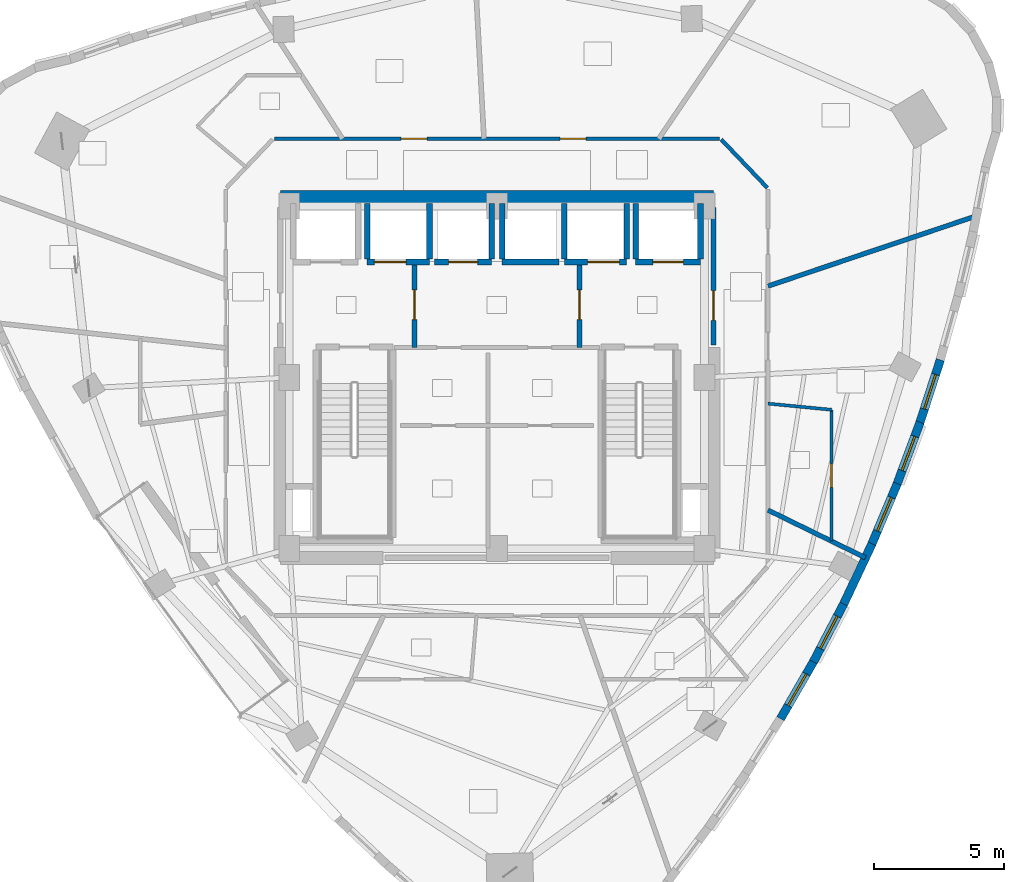
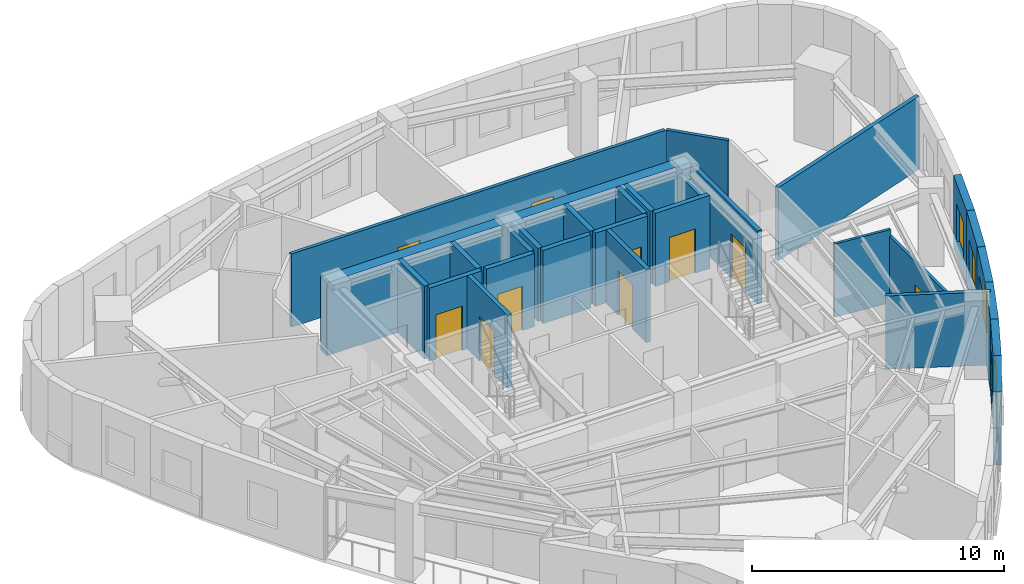
# One storey, part 8 of 13: 29 walls, 10 doors, 5 windows, 15 openings.
"""IFC4 building model written with IfcOpenShell, lengths in metres."""

from ifc_helpers import new_model, si_unit, direction, frame, frame_2d, origin, place, context, subcontext, project, spatial, rectangle, extrude, material, layer, layer_set, type_object, element, fill, save


model = new_model("IFC4")

# Units and contexts
model_context = context("Model", 3, precision=1e-05, world=origin(), true_north=direction((0.0, 1.0)))
body_context = subcontext(model_context, "Body", "Model", "MODEL_VIEW")
ifc_project = project(units=[si_unit("LENGTHUNIT", "METRE"), si_unit("AREAUNIT", "SQUARE_METRE"), si_unit("VOLUMEUNIT", "CUBIC_METRE"), si_unit("PLANEANGLEUNIT", "RADIAN"), si_unit("MASSUNIT", "GRAM", prefix="KILO")], contexts=[model_context])

# Site, building, storey
site_placement = place(None, origin())
site = spatial("IfcSite", under=ifc_project, at=site_placement, CompositionType="ELEMENT")
building_placement = place(site_placement, origin())
building = spatial("IfcBuilding", under=site, at=building_placement, Name="Ndelora Gate Hotel", CompositionType="ELEMENT")
storey_placement = place(building_placement, frame((0.0, 0.0, 228.35009765625)))
storey = spatial("IfcBuildingStorey", under=building, at=storey_placement, Name="L57", CompositionType="ELEMENT", Elevation=228.35009765625)

# Walls
ifc_material_1 = material(Name="Acoustic Double-Stud Gypsum Assembly", Category="gypsum")
ifc_layer_1 = layer(ifc_material_1, 0.179931640625)
ifc_layer_set_1 = layer_set([ifc_layer_1], Name="Acoustic Double-Stud Gypsum Assembly")
wall_type_1 = type_object("IfcWallType", Name="WL-ACOUST-180", PredefinedType="PARTITIONING", material=ifc_layer_set_1)
wall_1_placement = place(storey_placement, frame((10.449951171875, -5.1123046875, 0.0), z_axis=(0.0, 0.0, 1.0), x_axis=(0.89827266013, -0.439438537298, 0.0)))
element("IfcWall", 1, at=wall_1_placement, inside=storey, type_object=wall_type_1, Name="L57 Interior Wall IW-3", PredefinedType="PARTITIONING", context=body_context, shape_type="SweptSolid", body=[
    extrude(rectangle(XDim=4.178955078125, YDim=0.179931640625, at=frame_2d((2.08935546875, 0.0))), origin(), (0.0, 0.0, 1.0), 3.5498046875),
])
wall_2_placement = place(storey_placement, frame((10.449951171875, 3.52099609375, 0.0), z_axis=(0.0, 0.0, 1.0), x_axis=(0.947649729023, 0.319311745919, 0.0)))
element("IfcWall", 2, at=wall_2_placement, inside=storey, type_object=wall_type_1, Name="L57 Interior Wall IW-3", PredefinedType="PARTITIONING", context=body_context, shape_type="SweptSolid", body=[
    extrude(rectangle(XDim=8.473876953125, YDim=0.179931640625, at=frame_2d((4.23681640625, 0.0))), origin(), (0.0, 0.0, 1.0), 3.5498046875),
])

# Wall, opening, window
ifc_material_2 = material(Name="Clay Brick Masonry", Category="masonry")
ifc_layer_2 = layer(ifc_material_2, 0.330078125)
ifc_layer_set_2 = layer_set([ifc_layer_2], Name="Clay Brick Masonry")
wall_type_2 = type_object("IfcWallType", Name="WL-BRICK-330", PredefinedType="SOLIDWALL", material=ifc_layer_set_2)
wall_3_placement = place(storey_placement, frame((12.22021484375, -10.9208984375, 0.0), z_axis=(0.0, 0.0, 1.0), x_axis=(-0.499875407217, -0.866097325513, 0.0)))
wall_3 = element("IfcWall", 3, at=wall_3_placement, inside=storey, type_object=wall_type_2, Name="L57 Tower Brick Pier-and-Spandrel Wall TWR-30", PredefinedType="SOLIDWALL", context=body_context, shape_type="SweptSolid", body=[
    extrude(rectangle(XDim=2.579345703125, YDim=0.330078125, at=frame_2d((1.28955078125, 0.0))), origin(), (0.0, 0.0, 1.0), 3.5498046875),
])
opening_1_placement = place(wall_3_placement, frame((0.589599609375, 0.0, 0.719970703125)))
opening_1 = element("IfcOpeningElement", 4, at=opening_1_placement, cuts=wall_3, Name="Opening W02", PredefinedType="OPENING", context=body_context, shape_type="SweptSolid", body=[
    extrude(rectangle(XDim=1.39990234375, YDim=1.840087890625, at=frame_2d((0.699951171875, 0.919921875))), frame((0.0, 0.175048828125, 0.0), z_axis=(0.0, -1.0, 0.0), x_axis=(1.0, 0.0, 0.0)), (0.0, 0.0, 1.0), 0.35009765625),
])
ifc_material_3 = material(Name="Insulated Low-E Double Glazing in Bronze Aluminium Frame", Category="aluminium")
window_type = type_object("IfcWindowType", Name="WN-DEEP-1400", PartitioningType="SINGLE_PANEL", PredefinedType="WINDOW", material=ifc_material_3)
window_1_placement = place(opening_1_placement, origin())
window_1 = element("IfcWindow", 5, at=window_1_placement, inside=storey, type_object=window_type, Name="L57 Deep-Set Brick-Pier Window W02", OverallHeight=1.840087890625, OverallWidth=1.39990234375, PartitioningType="SINGLE_PANEL", PredefinedType="WINDOW", context=body_context, shape_type="SweptSolid", body=[
    extrude(rectangle(XDim=1.39990234375, YDim=1.840087890625, at=frame_2d((0.699951171875, 0.919921875))), frame((0.0, 0.030029296875, 0.0), z_axis=(0.0, -1.0, 0.0), x_axis=(1.0, 0.0, 0.0)), (0.0, 0.0, 1.0), 0.06005859375),
])
fill(opening_1, window_1)

wall_4_placement = place(storey_placement, frame((13.38720703125, -8.6865234375, 0.0), z_axis=(0.0, 0.0, 1.0), x_axis=(-0.463361004434, -0.886169611062, 0.0)))
wall_4 = element("IfcWall", 6, at=wall_4_placement, inside=storey, type_object=wall_type_2, Name="L57 Tower Brick Pier-and-Spandrel Wall TWR-31", PredefinedType="SOLIDWALL", context=body_context, shape_type="SweptSolid", body=[
    extrude(rectangle(XDim=2.57080078125, YDim=0.330078125, at=frame_2d((1.285400390625, 0.0))), origin(), (0.0, 0.0, 1.0), 3.5498046875),
])
opening_2_placement = place(wall_4_placement, frame((0.585205078125, 0.0, 0.719970703125)))
opening_2 = element("IfcOpeningElement", 7, at=opening_2_placement, cuts=wall_4, Name="Opening W02", PredefinedType="OPENING", context=body_context, shape_type="SweptSolid", body=[
    extrude(rectangle(XDim=1.39990234375, YDim=1.840087890625, at=frame_2d((0.699951171875, 0.919921875))), frame((0.0, 0.175048828125, 0.0), z_axis=(0.0, -1.0, 0.0), x_axis=(1.0, 0.0, 0.0)), (0.0, 0.0, 1.0), 0.35009765625),
])
window_2_placement = place(opening_2_placement, origin())
window_2 = element("IfcWindow", 8, at=window_2_placement, inside=storey, type_object=window_type, Name="L57 Deep-Set Brick-Pier Window W02", OverallHeight=1.840087890625, OverallWidth=1.39990234375, PartitioningType="SINGLE_PANEL", PredefinedType="WINDOW", context=body_context, shape_type="SweptSolid", body=[
    extrude(rectangle(XDim=1.39990234375, YDim=1.840087890625, at=frame_2d((0.699951171875, 0.919921875))), frame((0.0, 0.030029296875, 0.0), z_axis=(0.0, -1.0, 0.0), x_axis=(1.0, 0.0, 0.0)), (0.0, 0.0, 1.0), 0.06005859375),
])
fill(opening_2, window_2)

# Wall
wall_5_placement = place(storey_placement, frame((14.45751953125, -6.40966796875, 0.0), z_axis=(0.0, 0.0, 1.0), x_axis=(-0.425774125911, -0.90482948322, 0.0)))
element("IfcWall", 9, at=wall_5_placement, inside=storey, type_object=wall_type_2, Name="L57 Tower Brick Pier-and-Spandrel Wall TWR-32", PredefinedType="SOLIDWALL", context=body_context, shape_type="SweptSolid", body=[
    extrude(rectangle(XDim=2.56591796875, YDim=0.330078125, at=frame_2d((1.282958984375, 0.0))), origin(), (0.0, 0.0, 1.0), 3.5498046875),
])

# Wall, opening, window
wall_6_placement = place(storey_placement, frame((15.431640625, -4.089599609375, 0.0), z_axis=(0.0, 0.0, 1.0), x_axis=(-0.387525243304, -0.921859092162, 0.0)))
wall_6 = element("IfcWall", 10, at=wall_6_placement, inside=storey, type_object=wall_type_2, Name="L57 Tower Brick Pier-and-Spandrel Wall TWR-33", PredefinedType="SOLIDWALL", context=body_context, shape_type="SweptSolid", body=[
    extrude(rectangle(XDim=2.56591796875, YDim=0.330078125, at=frame_2d((1.282958984375, 0.0))), origin(), (0.0, 0.0, 1.0), 3.5498046875),
])
opening_3_placement = place(wall_6_placement, frame((0.5830078125, 0.0, 0.719970703125)))
opening_3 = element("IfcOpeningElement", 11, at=opening_3_placement, cuts=wall_6, Name="Opening W02", PredefinedType="OPENING", context=body_context, shape_type="SweptSolid", body=[
    extrude(rectangle(XDim=1.39990234375, YDim=1.840087890625, at=frame_2d((0.699951171875, 0.919921875))), frame((0.0, 0.175048828125, 0.0), z_axis=(0.0, -1.0, 0.0), x_axis=(1.0, 0.0, 0.0)), (0.0, 0.0, 1.0), 0.35009765625),
])
window_3_placement = place(opening_3_placement, origin())
window_3 = element("IfcWindow", 12, at=window_3_placement, inside=storey, type_object=window_type, Name="L57 Deep-Set Brick-Pier Window W02", OverallHeight=1.840087890625, OverallWidth=1.39990234375, PartitioningType="SINGLE_PANEL", PredefinedType="WINDOW", context=body_context, shape_type="SweptSolid", body=[
    extrude(rectangle(XDim=1.39990234375, YDim=1.840087890625, at=frame_2d((0.699951171875, 0.919921875))), frame((0.0, 0.030029296875, 0.0), z_axis=(0.0, -1.0, 0.0), x_axis=(1.0, 0.0, 0.0)), (0.0, 0.0, 1.0), 0.06005859375),
])
fill(opening_3, window_3)

wall_7_placement = place(storey_placement, frame((16.30908203125, -1.726806640625, 0.0), z_axis=(0.0, 0.0, 1.0), x_axis=(-0.348582368666, -0.937278150954, 0.0)))
wall_7 = element("IfcWall", 13, at=wall_7_placement, inside=storey, type_object=wall_type_2, Name="L57 Tower Brick Pier-and-Spandrel Wall TWR-34", PredefinedType="SOLIDWALL", context=body_context, shape_type="SweptSolid", body=[
    extrude(rectangle(XDim=2.5703125, YDim=0.330078125, at=frame_2d((1.28515625, 0.0))), origin(), (0.0, 0.0, 1.0), 3.5498046875),
])
opening_4_placement = place(wall_7_placement, frame((0.585205078125, 0.0, 0.719970703125)))
opening_4 = element("IfcOpeningElement", 14, at=opening_4_placement, cuts=wall_7, Name="Opening W02", PredefinedType="OPENING", context=body_context, shape_type="SweptSolid", body=[
    extrude(rectangle(XDim=1.39990234375, YDim=1.840087890625, at=frame_2d((0.699951171875, 0.919921875))), frame((0.0, 0.175048828125, 0.0), z_axis=(0.0, -1.0, 0.0), x_axis=(1.0, 0.0, 0.0)), (0.0, 0.0, 1.0), 0.35009765625),
])
window_4_placement = place(opening_4_placement, origin())
window_4 = element("IfcWindow", 15, at=window_4_placement, inside=storey, type_object=window_type, Name="L57 Deep-Set Brick-Pier Window W02", OverallHeight=1.840087890625, OverallWidth=1.39990234375, PartitioningType="SINGLE_PANEL", PredefinedType="WINDOW", context=body_context, shape_type="SweptSolid", body=[
    extrude(rectangle(XDim=1.39990234375, YDim=1.840087890625, at=frame_2d((0.699951171875, 0.919921875))), frame((0.0, 0.030029296875, 0.0), z_axis=(0.0, -1.0, 0.0), x_axis=(1.0, 0.0, 0.0)), (0.0, 0.0, 1.0), 0.06005859375),
])
fill(opening_4, window_4)

wall_8_placement = place(storey_placement, frame((17.090087890625, 0.678955078125, 0.0), z_axis=(0.0, 0.0, 1.0), x_axis=(-0.309148141518, -0.951013894008, 0.0)))
wall_8 = element("IfcWall", 16, at=wall_8_placement, inside=storey, type_object=wall_type_2, Name="L57 Tower Brick Pier-and-Spandrel Wall TWR-35", PredefinedType="SOLIDWALL", context=body_context, shape_type="SweptSolid", body=[
    extrude(rectangle(XDim=2.579345703125, YDim=0.330078125, at=frame_2d((1.28955078125, 0.0))), origin(), (0.0, 0.0, 1.0), 3.5498046875),
])
opening_5_placement = place(wall_8_placement, frame((0.589599609375, 0.0, 0.719970703125)))
opening_5 = element("IfcOpeningElement", 17, at=opening_5_placement, cuts=wall_8, Name="Opening W02", PredefinedType="OPENING", context=body_context, shape_type="SweptSolid", body=[
    extrude(rectangle(XDim=1.39990234375, YDim=1.840087890625, at=frame_2d((0.699951171875, 0.919921875))), frame((0.0, 0.175048828125, 0.0), z_axis=(0.0, -1.0, 0.0), x_axis=(1.0, 0.0, 0.0)), (0.0, 0.0, 1.0), 0.35009765625),
])
window_5_placement = place(opening_5_placement, origin())
window_5 = element("IfcWindow", 18, at=window_5_placement, inside=storey, type_object=window_type, Name="L57 Deep-Set Brick-Pier Window W02", OverallHeight=1.840087890625, OverallWidth=1.39990234375, PartitioningType="SINGLE_PANEL", PredefinedType="WINDOW", context=body_context, shape_type="SweptSolid", body=[
    extrude(rectangle(XDim=1.39990234375, YDim=1.840087890625, at=frame_2d((0.699951171875, 0.919921875))), frame((0.0, 0.030029296875, 0.0), z_axis=(0.0, -1.0, 0.0), x_axis=(1.0, 0.0, 0.0)), (0.0, 0.0, 1.0), 0.06005859375),
])
fill(opening_5, window_5)

# Wall
ifc_material_4 = material(Name="Concrete C50/60", Category="concrete")
ifc_layer_3 = layer(ifc_material_4, 0.5)
ifc_layer_set_3 = layer_set([ifc_layer_3], Name="Concrete C50/60")
wall_type_3 = type_object("IfcWallType", Name="WL-CORE-500", PredefinedType="SHEAR", material=ifc_layer_set_3)
wall_9_placement = place(storey_placement, frame((-8.35009765625, 6.949951171875, 0.0), z_axis=(0.0, 0.0, 1.0), x_axis=(1.0, 0.0, 0.0)))
element("IfcWall", 19, at=wall_9_placement, inside=storey, type_object=wall_type_3, Name="L57 Core Shear Wall N", PredefinedType="SHEAR", context=body_context, shape_type="SweptSolid", body=[
    extrude(rectangle(XDim=16.7001953125, YDim=0.5, at=frame_2d((8.35009765625, 0.0))), origin(), (0.0, 0.0, 1.0), 3.5498046875),
])

# Wall, opening, door
ifc_material_5 = material(Name="Concrete C40/50", Category="concrete")
ifc_layer_4 = layer(ifc_material_5, 0.199951171875)
ifc_layer_set_4 = layer_set([ifc_layer_4], Name="Concrete C40/50")
wall_type_4 = type_object("IfcWallType", Name="WL-FIRE-200", PredefinedType="PARTITIONING", material=ifc_layer_set_4)
wall_10_placement = place(storey_placement, frame((-3.179931640625, 1.14990234375, 0.0), z_axis=(0.0, 0.0, 1.0), x_axis=(0.0, 1.0, 0.0)))
wall_10 = element("IfcWall", 20, at=wall_10_placement, inside=storey, type_object=wall_type_4, Name="L57 Interior Wall IW-2", PredefinedType="PARTITIONING", context=body_context, shape_type="SweptSolid", body=[
    extrude(rectangle(XDim=3.300048828125, YDim=0.199951171875, at=frame_2d((1.64990234375, 0.0))), origin(), (0.0, 0.0, 1.0), 3.5498046875),
])
opening_6_placement = place(wall_10_placement, frame((1.080078125, 0.0, 0.0)))
opening_6 = element("IfcOpeningElement", 21, at=opening_6_placement, cuts=wall_10, Name="Opening FD1", PredefinedType="OPENING", context=body_context, shape_type="SweptSolid", body=[
    extrude(rectangle(XDim=1.14990234375, YDim=2.14990234375, at=frame_2d((0.574951171875, 1.074951171875))), frame((0.0, 0.10986328125, 0.0), z_axis=(0.0, -1.0, 0.0), x_axis=(1.0, 0.0, 0.0)), (0.0, 0.0, 1.0), 0.219970703125),
])
ifc_material_6 = material(Name="Fire-Rated Timber-Veneer Steel Core", Category="steel")
door_type_1 = type_object("IfcDoorType", Name="DR-FD60", OperationType="SINGLE_SWING_LEFT", PredefinedType="DOOR", material=ifc_material_6)
door_1_placement = place(opening_6_placement, origin())
door_1 = element("IfcDoor", 22, at=door_1_placement, inside=storey, type_object=door_type_1, Name="L57 Firefighting Lobby West Door", OperationType="SINGLE_SWING_RIGHT", OverallHeight=2.14990234375, OverallWidth=1.14990234375, PredefinedType="DOOR", context=body_context, shape_type="SweptSolid", body=[
    extrude(rectangle(XDim=1.14990234375, YDim=2.14990234375, at=frame_2d((0.574951171875, 1.074951171875))), frame((0.0, 0.02490234375, 0.0), z_axis=(0.0, -1.0, 0.0), x_axis=(1.0, 0.0, 0.0)), (0.0, 0.0, 1.0), 0.050048828125),
])
fill(opening_6, door_1)

wall_11_placement = place(storey_placement, frame((3.179931640625, 1.14990234375, 0.0), z_axis=(0.0, 0.0, 1.0), x_axis=(0.0, 1.0, 0.0)))
wall_11 = element("IfcWall", 23, at=wall_11_placement, inside=storey, type_object=wall_type_4, Name="L57 Interior Wall IW-2", PredefinedType="PARTITIONING", context=body_context, shape_type="SweptSolid", body=[
    extrude(rectangle(XDim=3.300048828125, YDim=0.199951171875, at=frame_2d((1.64990234375, 0.0))), origin(), (0.0, 0.0, 1.0), 3.5498046875),
])
opening_7_placement = place(wall_11_placement, frame((1.080078125, 0.0, 0.0)))
opening_7 = element("IfcOpeningElement", 24, at=opening_7_placement, cuts=wall_11, Name="Opening FD1", PredefinedType="OPENING", context=body_context, shape_type="SweptSolid", body=[
    extrude(rectangle(XDim=1.14990234375, YDim=2.14990234375, at=frame_2d((0.574951171875, 1.074951171875))), frame((0.0, 0.10986328125, 0.0), z_axis=(0.0, -1.0, 0.0), x_axis=(1.0, 0.0, 0.0)), (0.0, 0.0, 1.0), 0.219970703125),
])
door_2_placement = place(opening_7_placement, origin())
door_2 = element("IfcDoor", 25, at=door_2_placement, inside=storey, type_object=door_type_1, Name="L57 Firefighting Lobby East Door", OperationType="SINGLE_SWING_LEFT", OverallHeight=2.14990234375, OverallWidth=1.14990234375, PredefinedType="DOOR", context=body_context, shape_type="SweptSolid", body=[
    extrude(rectangle(XDim=1.14990234375, YDim=2.14990234375, at=frame_2d((0.574951171875, 1.074951171875))), frame((0.0, 0.02490234375, 0.0), z_axis=(0.0, -1.0, 0.0), x_axis=(1.0, 0.0, 0.0)), (0.0, 0.0, 1.0), 0.050048828125),
])
fill(opening_7, door_2)

wall_12_placement = place(storey_placement, frame((8.35009765625, 1.25, 0.0), z_axis=(0.0, 0.0, 1.0), x_axis=(0.0, 1.0, 0.0)))
wall_12 = element("IfcWall", 26, at=wall_12_placement, inside=storey, type_object=wall_type_4, Name="L57 Interior Wall IW-2", PredefinedType="PARTITIONING", context=body_context, shape_type="SweptSolid", body=[
    extrude(rectangle(XDim=5.300048828125, YDim=0.199951171875, at=frame_2d((2.64990234375, 0.0))), origin(), (0.0, 0.0, 1.0), 3.5498046875),
])
opening_8_placement = place(wall_12_placement, frame((0.949951171875, 0.0, 0.0)))
opening_8 = element("IfcOpeningElement", 27, at=opening_8_placement, cuts=wall_12, Name="Opening FD1", PredefinedType="OPENING", context=body_context, shape_type="SweptSolid", body=[
    extrude(rectangle(XDim=1.14990234375, YDim=2.14990234375, at=frame_2d((0.574951171875, 1.074951171875))), frame((0.0, 0.10986328125, 0.0), z_axis=(0.0, -1.0, 0.0), x_axis=(1.0, 0.0, 0.0)), (0.0, 0.0, 1.0), 0.219970703125),
])
door_3_placement = place(opening_8_placement, origin())
door_3 = element("IfcDoor", 28, at=door_3_placement, inside=storey, type_object=door_type_1, Name="L57 Firefighting Lobby East Corridor Door", OperationType="SINGLE_SWING_RIGHT", OverallHeight=2.14990234375, OverallWidth=1.14990234375, PredefinedType="DOOR", context=body_context, shape_type="SweptSolid", body=[
    extrude(rectangle(XDim=1.14990234375, YDim=2.14990234375, at=frame_2d((0.574951171875, 1.074951171875))), frame((0.0, 0.02490234375, 0.0), z_axis=(0.0, -1.0, 0.0), x_axis=(1.0, 0.0, 0.0)), (0.0, 0.0, 1.0), 0.050048828125),
])
fill(opening_8, door_3)

# Wall
ifc_material_7 = material(Name="Fire-Rated Gypsum Stud Partition", Category="gypsum")
ifc_layer_5 = layer(ifc_material_7, 0.14990234375)
ifc_layer_set_5 = layer_set([ifc_layer_5], Name="Fire-Rated Gypsum Stud Partition")
wall_type_5 = type_object("IfcWallType", Name="WL-PART-150", PredefinedType="PARTITIONING", material=ifc_layer_set_5)
wall_13_placement = place(storey_placement, frame((8.647705078125, 9.1708984375, 0.0), z_axis=(0.0, 0.0, 1.0), x_axis=(0.689960858356, -0.723846678473, 0.0)))
element("IfcWall", 29, at=wall_13_placement, inside=storey, type_object=wall_type_5, Name="L57 Interior Wall IW-5", PredefinedType="PARTITIONING", context=body_context, shape_type="SweptSolid", body=[
    extrude(rectangle(XDim=2.572021484375, YDim=0.14990234375, at=frame_2d((1.2861328125, 0.0))), origin(), (0.0, 0.0, 1.0), 3.5498046875),
])

# Wall, openings, doors
wall_14_placement = place(storey_placement, frame((-8.580078125, 9.199951171875, 0.0), z_axis=(0.0, 0.0, 1.0), x_axis=(1.0, 0.0, 0.0)))
wall_14 = element("IfcWall", 30, at=wall_14_placement, inside=storey, type_object=wall_type_5, Name="L57 Interior Wall IW-5", PredefinedType="PARTITIONING", context=body_context, shape_type="SweptSolid", body=[
    extrude(rectangle(XDim=17.16015625, YDim=0.14990234375, at=frame_2d((8.580078125, 0.0))), origin(), (0.0, 0.0, 1.0), 3.5498046875),
])
opening_9_placement = place(wall_14_placement, frame((4.8896484375, 0.0, 0.0)))
opening_9 = element("IfcOpeningElement", 31, at=opening_9_placement, cuts=wall_14, Name="Opening D01", PredefinedType="OPENING", context=body_context, shape_type="SweptSolid", body=[
    extrude(rectangle(XDim=1.0, YDim=2.14990234375, at=frame_2d((0.5, 1.074951171875))), frame((0.0, 0.0849609375, 0.0), z_axis=(0.0, -1.0, 0.0), x_axis=(1.0, 0.0, 0.0)), (0.0, 0.0, 1.0), 0.169921875),
])
opening_10_placement = place(wall_14_placement, frame((11.01611328125, 0.0, 0.0)))
opening_10 = element("IfcOpeningElement", 32, at=opening_10_placement, cuts=wall_14, Name="Opening D01", PredefinedType="OPENING", context=body_context, shape_type="SweptSolid", body=[
    extrude(rectangle(XDim=1.0, YDim=2.14990234375, at=frame_2d((0.5, 1.074951171875))), frame((0.0, 0.0849609375, 0.0), z_axis=(0.0, -1.0, 0.0), x_axis=(1.0, 0.0, 0.0)), (0.0, 0.0, 1.0), 0.169921875),
])
ifc_material_8 = material(Name="Acoustic Hardwood Guest Entrance Door", Category="wood")
door_type_2 = type_object("IfcDoorType", Name="DR-COR-1000", OperationType="SINGLE_SWING_LEFT", PredefinedType="DOOR", material=ifc_material_8)
door_4_placement = place(opening_9_placement, origin())
door_4 = element("IfcDoor", 33, at=door_4_placement, inside=storey, type_object=door_type_2, Name="L57 Chef Service Kitchen Entrance Door", OperationType="SINGLE_SWING_RIGHT", OverallHeight=2.14990234375, OverallWidth=1.0, PredefinedType="DOOR", context=body_context, shape_type="SweptSolid", body=[
    extrude(rectangle(XDim=1.0, YDim=2.14990234375, at=frame_2d((0.5, 1.074951171875))), frame((0.0, 0.02490234375, 0.0), z_axis=(0.0, -1.0, 0.0), x_axis=(1.0, 0.0, 0.0)), (0.0, 0.0, 1.0), 0.050048828125),
])
fill(opening_9, door_4)
door_5_placement = place(opening_10_placement, origin())
door_5 = element("IfcDoor", 34, at=door_5_placement, inside=storey, type_object=door_type_2, Name="L57 Altitude Fitness Gym Entrance Door", OperationType="SINGLE_SWING_RIGHT", OverallHeight=2.14990234375, OverallWidth=1.0, PredefinedType="DOOR", context=body_context, shape_type="SweptSolid", body=[
    extrude(rectangle(XDim=1.0, YDim=2.14990234375, at=frame_2d((0.5, 1.074951171875))), frame((0.0, 0.02490234375, 0.0), z_axis=(0.0, -1.0, 0.0), x_axis=(1.0, 0.0, 0.0)), (0.0, 0.0, 1.0), 0.050048828125),
])
fill(opening_10, door_5)

# Wall, opening, door
ifc_layer_6 = layer(ifc_material_5, 0.219970703125)
ifc_layer_set_6 = layer_set([ifc_layer_6], Name="Concrete C40/50")
wall_type_6 = type_object("IfcWallType", Name="WL-SHAFT-220", PredefinedType="PARTITIONING", material=ifc_layer_set_6)
wall_15_placement = place(storey_placement, frame((5.35009765625, 4.449951171875, 0.0), z_axis=(0.0, 0.0, 1.0), x_axis=(1.0, 0.0, 0.0)))
wall_15 = element("IfcWall", 35, at=wall_15_placement, inside=storey, type_object=wall_type_6, Name="L57 Interior Wall IW-1", PredefinedType="PARTITIONING", context=body_context, shape_type="SweptSolid", body=[
    extrude(rectangle(XDim=2.5, YDim=0.219970703125, at=frame_2d((1.25, 0.0))), origin(), (0.0, 0.0, 1.0), 3.5498046875),
])
opening_11_placement = place(wall_15_placement, frame((0.659912109375, 0.0, 0.0)))
opening_11 = element("IfcOpeningElement", 36, at=opening_11_placement, cuts=wall_15, Name="Opening LD5", PredefinedType="OPENING", context=body_context, shape_type="SweptSolid", body=[
    extrude(rectangle(XDim=1.179931640625, YDim=2.14990234375, at=frame_2d((0.58984375, 1.074951171875))), frame((0.0, 0.1201171875, 0.0), z_axis=(0.0, -1.0, 0.0), x_axis=(1.0, 0.0, 0.0)), (0.0, 0.0, 1.0), 0.239990234375),
])
ifc_material_9 = material(Name="Firefighting Lift Stainless Sliding Landing Door", Category="metal")
door_type_3 = type_object("IfcDoorType", Name="DR-LD5", OperationType="DOUBLE_DOOR_SLIDING", PredefinedType="DOOR", material=ifc_material_9)
door_6_placement = place(opening_11_placement, origin())
door_6 = element("IfcDoor", 37, at=door_6_placement, inside=storey, type_object=door_type_3, Name="L57 Lift Landing Sliding Door FFL2", OperationType="DOUBLE_DOOR_SLIDING", OverallHeight=2.14990234375, OverallWidth=1.179931640625, PredefinedType="DOOR", context=body_context, shape_type="SweptSolid", body=[
    extrude(rectangle(XDim=1.179931640625, YDim=2.14990234375, at=frame_2d((0.58984375, 1.074951171875))), frame((0.0, 0.02490234375, 0.0), z_axis=(0.0, -1.0, 0.0), x_axis=(1.0, 0.0, 0.0)), (0.0, 0.0, 1.0), 0.050048828125),
])
fill(opening_11, door_6)

# Walls
wall_16_placement = place(storey_placement, frame((5.35009765625, 4.570068359375, 0.0), z_axis=(0.0, 0.0, 1.0), x_axis=(0.0, 1.0, 0.0)))
element("IfcWall", 38, at=wall_16_placement, inside=storey, type_object=wall_type_6, Name="L57 Interior Wall IW-1", PredefinedType="PARTITIONING", context=body_context, shape_type="SweptSolid", body=[
    extrude(rectangle(XDim=2.1298828125, YDim=0.219970703125, at=frame_2d((1.06494140625, 0.0))), origin(), (0.0, 0.0, 1.0), 3.5498046875),
])
wall_17_placement = place(storey_placement, frame((7.85009765625, 4.570068359375, 0.0), z_axis=(0.0, 0.0, 1.0), x_axis=(0.0, 1.0, 0.0)))
element("IfcWall", 39, at=wall_17_placement, inside=storey, type_object=wall_type_6, Name="L57 Interior Wall IW-1", PredefinedType="PARTITIONING", context=body_context, shape_type="SweptSolid", body=[
    extrude(rectangle(XDim=2.1298828125, YDim=0.219970703125, at=frame_2d((1.06494140625, 0.0))), origin(), (0.0, 0.0, 1.0), 3.179931640625),
])

# Wall, opening, door
wall_18_placement = place(storey_placement, frame((-5.0, 4.449951171875, 0.0), z_axis=(0.0, 0.0, 1.0), x_axis=(1.0, 0.0, 0.0)))
wall_18 = element("IfcWall", 40, at=wall_18_placement, inside=storey, type_object=wall_type_6, Name="L57 Interior Wall IW-1", PredefinedType="PARTITIONING", context=body_context, shape_type="SweptSolid", body=[
    extrude(rectangle(XDim=2.39990234375, YDim=0.219970703125, at=frame_2d((1.199951171875, 0.0))), origin(), (0.0, 0.0, 1.0), 3.5498046875),
])
opening_12_placement = place(wall_18_placement, frame((0.280029296875, 0.0, 0.0)))
opening_12 = element("IfcOpeningElement", 41, at=opening_12_placement, cuts=wall_18, Name="Opening LD6", PredefinedType="OPENING", context=body_context, shape_type="SweptSolid", body=[
    extrude(rectangle(XDim=1.219970703125, YDim=2.14990234375, at=frame_2d((0.60986328125, 1.074951171875))), frame((0.0, 0.1201171875, 0.0), z_axis=(0.0, -1.0, 0.0), x_axis=(1.0, 0.0, 0.0)), (0.0, 0.0, 1.0), 0.239990234375),
])
ifc_material_10 = material(Name="Heavy-Duty Service Lift Sliding Landing Door", Category="wood")
door_type_4 = type_object("IfcDoorType", Name="DR-LD6", OperationType="DOUBLE_DOOR_SLIDING", PredefinedType="DOOR", material=ifc_material_10)
door_7_placement = place(opening_12_placement, origin())
door_7 = element("IfcDoor", 42, at=door_7_placement, inside=storey, type_object=door_type_4, Name="L57 Lift Landing Sliding Door SVL1", OperationType="DOUBLE_DOOR_SLIDING", OverallHeight=2.14990234375, OverallWidth=1.219970703125, PredefinedType="DOOR", context=body_context, shape_type="SweptSolid", body=[
    extrude(rectangle(XDim=1.219970703125, YDim=2.14990234375, at=frame_2d((0.60986328125, 1.074951171875))), frame((0.0, 0.02490234375, 0.0), z_axis=(0.0, -1.0, 0.0), x_axis=(1.0, 0.0, 0.0)), (0.0, 0.0, 1.0), 0.050048828125),
])
fill(opening_12, door_7)

# Walls
for number, where, z_axis, x_axis, name in (
    (43, (-5.0, 4.570068359375, 0.0), (0.0, 0.0, 1.0), (0.0, 1.0, 0.0), "L57 Interior Wall IW-1"),
    (44, (-2.60009765625, 4.570068359375, 0.0), (0.0, 0.0, 1.0), (0.0, 1.0, 0.0), "L57 Interior Wall IW-1"),
):
    element("IfcWall", number, at=place(storey_placement, frame(where, z_axis=z_axis, x_axis=x_axis)), inside=storey, type_object=wall_type_6, Name=name, PredefinedType="PARTITIONING", context=body_context, shape_type="SweptSolid", body=[
        extrude(rectangle(XDim=2.1298828125, YDim=0.219970703125, at=frame_2d((1.06494140625, 0.0))), origin(), (0.0, 0.0, 1.0), 3.5498046875),
    ])

# Wall, opening, door
wall_19_placement = place(storey_placement, frame((2.60009765625, 4.449951171875, 0.0), z_axis=(0.0, 0.0, 1.0), x_axis=(1.0, 0.0, 0.0)))
wall_19 = element("IfcWall", 45, at=wall_19_placement, inside=storey, type_object=wall_type_6, Name="L57 Interior Wall IW-1", PredefinedType="PARTITIONING", context=body_context, shape_type="SweptSolid", body=[
    extrude(rectangle(XDim=2.39990234375, YDim=0.219970703125, at=frame_2d((1.199951171875, 0.0))), origin(), (0.0, 0.0, 1.0), 3.5498046875),
])
opening_13_placement = place(wall_19_placement, frame((0.89990234375, 0.0, 0.0)))
opening_13 = element("IfcOpeningElement", 46, at=opening_13_placement, cuts=wall_19, Name="Opening LD6", PredefinedType="OPENING", context=body_context, shape_type="SweptSolid", body=[
    extrude(rectangle(XDim=1.219970703125, YDim=2.14990234375, at=frame_2d((0.60986328125, 1.074951171875))), frame((0.0, 0.1201171875, 0.0), z_axis=(0.0, -1.0, 0.0), x_axis=(1.0, 0.0, 0.0)), (0.0, 0.0, 1.0), 0.239990234375),
])
door_8_placement = place(opening_13_placement, origin())
door_8 = element("IfcDoor", 47, at=door_8_placement, inside=storey, type_object=door_type_4, Name="L57 Lift Landing Sliding Door SVL2", OperationType="DOUBLE_DOOR_SLIDING", OverallHeight=2.14990234375, OverallWidth=1.219970703125, PredefinedType="DOOR", context=body_context, shape_type="SweptSolid", body=[
    extrude(rectangle(XDim=1.219970703125, YDim=2.14990234375, at=frame_2d((0.60986328125, 1.074951171875))), frame((0.0, 0.02490234375, 0.0), z_axis=(0.0, -1.0, 0.0), x_axis=(1.0, 0.0, 0.0)), (0.0, 0.0, 1.0), 0.050048828125),
])
fill(opening_13, door_8)

# Walls
for number, where, z_axis, x_axis, name in (
    (48, (2.60009765625, 4.570068359375, 0.0), (0.0, 0.0, 1.0), (0.0, 1.0, 0.0), "L57 Interior Wall IW-1"),
    (49, (5.0, 4.570068359375, 0.0), (0.0, 0.0, 1.0), (0.0, 1.0, 0.0), "L57 Interior Wall IW-1"),
):
    element("IfcWall", number, at=place(storey_placement, frame(where, z_axis=z_axis, x_axis=x_axis)), inside=storey, type_object=wall_type_6, Name=name, PredefinedType="PARTITIONING", context=body_context, shape_type="SweptSolid", body=[
        extrude(rectangle(XDim=2.1298828125, YDim=0.219970703125, at=frame_2d((1.06494140625, 0.0))), origin(), (0.0, 0.0, 1.0), 3.5498046875),
    ])

# Wall, opening, door
wall_20_placement = place(storey_placement, frame((-2.39990234375, 4.449951171875, 0.0), z_axis=(0.0, 0.0, 1.0), x_axis=(1.0, 0.0, 0.0)))
wall_20 = element("IfcWall", 50, at=wall_20_placement, inside=storey, type_object=wall_type_6, Name="L57 Interior Wall IW-1", PredefinedType="PARTITIONING", context=body_context, shape_type="SweptSolid", body=[
    extrude(rectangle(XDim=2.199951171875, YDim=0.219970703125, at=frame_2d((1.10009765625, 0.0))), origin(), (0.0, 0.0, 1.0), 3.5498046875),
])
opening_14_placement = place(wall_20_placement, frame((0.5400390625, 0.0, 0.0)))
opening_14 = element("IfcOpeningElement", 51, at=opening_14_placement, cuts=wall_20, Name="Opening LD3", PredefinedType="OPENING", context=body_context, shape_type="SweptSolid", body=[
    extrude(rectangle(XDim=1.1201171875, YDim=2.14990234375, at=frame_2d((0.56005859375, 1.074951171875))), frame((0.0, 0.1201171875, 0.0), z_axis=(0.0, -1.0, 0.0), x_axis=(1.0, 0.0, 0.0)), (0.0, 0.0, 1.0), 0.239990234375),
])
ifc_material_11 = material(Name="Brushed Bronze Stainless Lift Landing Door", Category="metal")
door_type_5 = type_object("IfcDoorType", Name="DR-LD3", OperationType="DOUBLE_DOOR_SLIDING", PredefinedType="DOOR", material=ifc_material_11)
door_9_placement = place(opening_14_placement, origin())
door_9 = element("IfcDoor", 52, at=door_9_placement, inside=storey, type_object=door_type_5, Name="L57 Lift Landing Sliding Door P3A", OperationType="DOUBLE_DOOR_SLIDING", OverallHeight=2.14990234375, OverallWidth=1.1201171875, PredefinedType="DOOR", context=body_context, shape_type="SweptSolid", body=[
    extrude(rectangle(XDim=1.1201171875, YDim=2.14990234375, at=frame_2d((0.56005859375, 1.074951171875))), frame((0.0, 0.02490234375, 0.0), z_axis=(0.0, -1.0, 0.0), x_axis=(1.0, 0.0, 0.0)), (0.0, 0.0, 1.0), 0.050048828125),
])
fill(opening_14, door_9)

# Walls
wall_21_placement = place(storey_placement, frame((-0.199951171875, 4.570068359375, 0.0), z_axis=(0.0, 0.0, 1.0), x_axis=(0.0, 1.0, 0.0)))
element("IfcWall", 53, at=wall_21_placement, inside=storey, type_object=wall_type_6, Name="L57 Interior Wall IW-1", PredefinedType="PARTITIONING", context=body_context, shape_type="SweptSolid", body=[
    extrude(rectangle(XDim=2.1298828125, YDim=0.219970703125, at=frame_2d((1.06494140625, 0.0))), origin(), (0.0, 0.0, 1.0), 3.5498046875),
])
wall_22_placement = place(storey_placement, frame((0.199951171875, 4.449951171875, 0.0), z_axis=(0.0, 0.0, 1.0), x_axis=(1.0, 0.0, 0.0)))
element("IfcWall", 54, at=wall_22_placement, inside=storey, type_object=wall_type_6, Name="L57 Interior Wall IW-1", PredefinedType="PARTITIONING", context=body_context, shape_type="SweptSolid", body=[
    extrude(rectangle(XDim=2.199951171875, YDim=0.219970703125, at=frame_2d((1.10009765625, 0.0))), origin(), (0.0, 0.0, 1.0), 3.5498046875),
])
wall_23_placement = place(storey_placement, frame((0.199951171875, 4.570068359375, 0.0), z_axis=(0.0, 0.0, 1.0), x_axis=(0.0, 1.0, 0.0)))
element("IfcWall", 55, at=wall_23_placement, inside=storey, type_object=wall_type_6, Name="L57 Interior Wall IW-1", PredefinedType="PARTITIONING", context=body_context, shape_type="SweptSolid", body=[
    extrude(rectangle(XDim=2.1298828125, YDim=0.219970703125, at=frame_2d((1.06494140625, 0.0))), origin(), (0.0, 0.0, 1.0), 3.5498046875),
])
ifc_material_12 = material(Name="Moisture-Resistant Bathroom Tile Partition", Category="gypsum")
ifc_layer_7 = layer(ifc_material_12, 0.1201171875)
ifc_layer_set_7 = layer_set([ifc_layer_7], Name="Moisture-Resistant Bathroom Tile Partition")
wall_type_7 = type_object("IfcWallType", Name="WL-WET-120", PredefinedType="PARTITIONING", material=ifc_layer_set_7)
wall_24_placement = place(storey_placement, frame((10.449951171875, -1.00830078125, 0.0), z_axis=(0.0, 0.0, 1.0), x_axis=(0.995370238569, -0.096114973709, 0.0)))
element("IfcWall", 56, at=wall_24_placement, inside=storey, type_object=wall_type_7, Name="L57 Interior Wall IW-7", PredefinedType="PARTITIONING", context=body_context, shape_type="SweptSolid", body=[
    extrude(rectangle(XDim=2.46142578125, YDim=0.1201171875, at=frame_2d((1.230712890625, 0.0))), origin(), (0.0, 0.0, 1.0), 3.5498046875),
])

# Wall, opening, door
wall_25_placement = place(storey_placement, frame((12.89990234375, -1.244873046875, 0.0), z_axis=(0.0, 0.0, 1.0), x_axis=(0.0, -1.0, 0.0)))
wall_25 = element("IfcWall", 57, at=wall_25_placement, inside=storey, type_object=wall_type_7, Name="L57 Interior Wall IW-7", PredefinedType="PARTITIONING", context=body_context, shape_type="SweptSolid", body=[
    extrude(rectangle(XDim=5.066162109375, YDim=0.1201171875, at=frame_2d((2.533203125, 0.0))), origin(), (0.0, 0.0, 1.0), 3.22998046875),
])
opening_15_placement = place(wall_25_placement, frame((2.072998046875, 0.0, 0.0)))
opening_15 = element("IfcOpeningElement", 58, at=opening_15_placement, cuts=wall_25, Name="Opening D03", PredefinedType="OPENING", context=body_context, shape_type="SweptSolid", body=[
    extrude(rectangle(XDim=0.919921875, YDim=2.10009765625, at=frame_2d((0.4599609375, 1.050048828125))), frame((0.0, 0.070068359375, 0.0), z_axis=(0.0, -1.0, 0.0), x_axis=(1.0, 0.0, 0.0)), (0.0, 0.0, 1.0), 0.14013671875),
])
ifc_material_13 = material(Name="Moisture-Resistant Hardwood En-Suite Door", Category="wood")
door_type_6 = type_object("IfcDoorType", Name="DR-BATH-920", OperationType="SINGLE_SWING_LEFT", PredefinedType="DOOR", material=ifc_material_13)
door_10_placement = place(opening_15_placement, origin())
door_10 = element("IfcDoor", 59, at=door_10_placement, inside=storey, type_object=door_type_6, Name="L57 En-suite Bathroom 6003 Door", OperationType="SINGLE_SWING_RIGHT", OverallHeight=2.10009765625, OverallWidth=0.919921875, PredefinedType="DOOR", context=body_context, shape_type="SweptSolid", body=[
    extrude(rectangle(XDim=0.919921875, YDim=2.10009765625, at=frame_2d((0.4599609375, 1.050048828125))), frame((0.0, 0.02490234375, 0.0), z_axis=(0.0, -1.0, 0.0), x_axis=(1.0, 0.0, 0.0)), (0.0, 0.0, 1.0), 0.050048828125),
])
fill(opening_15, door_10)

save(model, "model.ifc")
